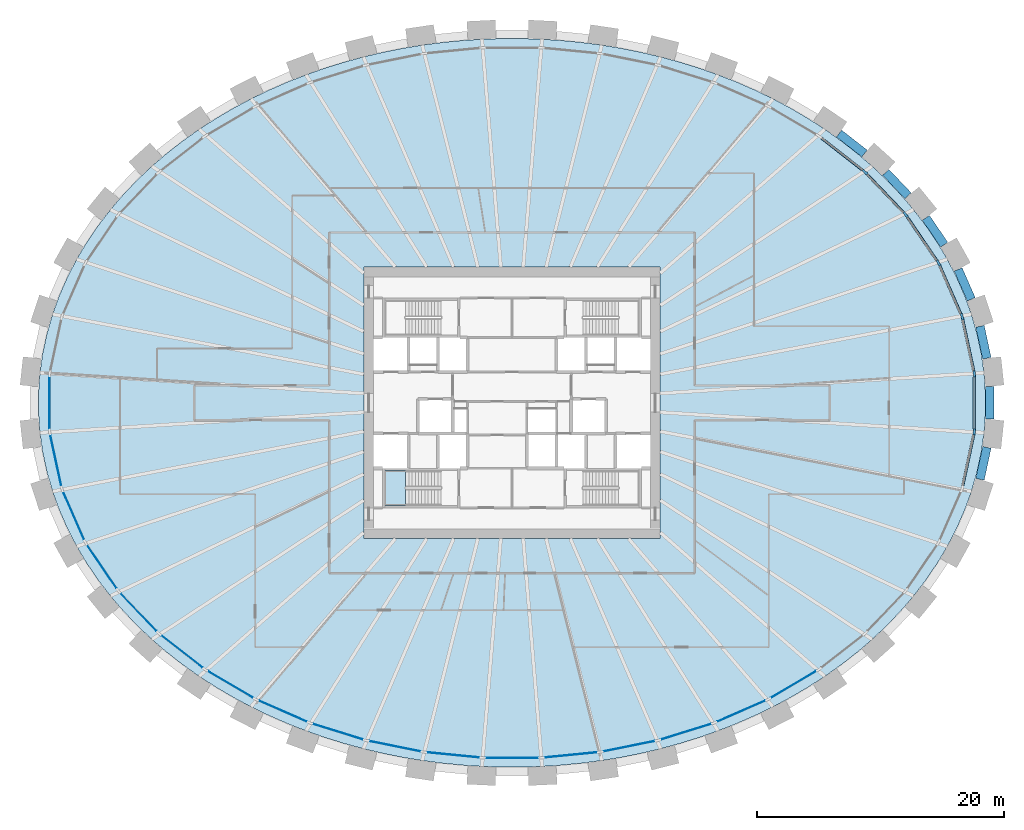
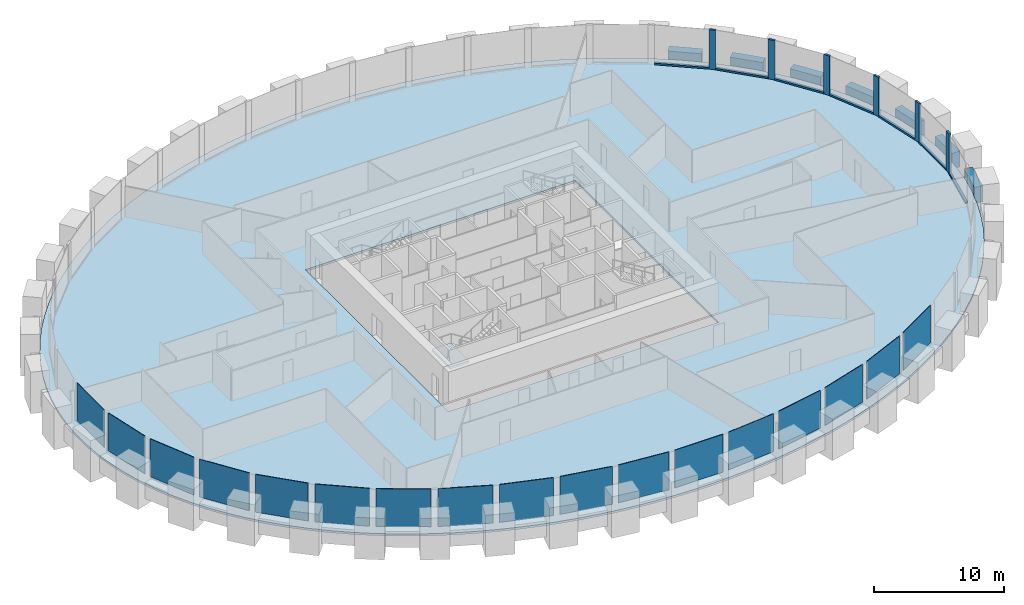
# One storey, part 4 of 11: 17 plates, 13 members, 7 beams, 2 slabs, 2 elements without a shape of their own.
"""IFC4 building model written with IfcOpenShell, lengths in metres."""

from ifc_helpers import new_model, si_unit, direction, frame, origin, origin_2d, place, context, subcontext, project, spatial, polyline, rectangle, outline, extrude, source, transform, mapped, material, layer, layer_set, material_profile, profile_set, type_object, element, aggregate, save


model = new_model("IFC4")

# Units and contexts
model_context = context("Model", 3, precision=1e-05, world=origin(), true_north=direction((0.0, 1.0)))
body_context = subcontext(model_context, "Body", "Model", "MODEL_VIEW")
ifc_project = project(units=[si_unit("LENGTHUNIT", "METRE"), si_unit("AREAUNIT", "SQUARE_METRE"), si_unit("VOLUMEUNIT", "CUBIC_METRE"), si_unit("PLANEANGLEUNIT", "RADIAN"), si_unit("MASSUNIT", "GRAM", prefix="KILO")], contexts=[model_context])

# Site, building, storey
site_placement = place(None, origin())
site = spatial("IfcSite", under=ifc_project, at=site_placement, CompositionType="ELEMENT")
building_placement = place(site_placement, origin())
building = spatial("IfcBuilding", under=site, at=building_placement, Name="Embergate Tower", CompositionType="ELEMENT")
storey_placement = place(building_placement, frame((0.0, 0.0, 135.89990234375)))
storey = spatial("IfcBuildingStorey", under=building, at=storey_placement, Name="L29", CompositionType="ELEMENT", Elevation=135.89990234375)

# Beams
ifc_material_1 = material(Name="Concrete C70", Category="concrete")
ifc_material_profile_1 = material_profile(ifc_material_1, rectangle(XDim=0.699951171875, YDim=1.5, at=origin_2d()), Name="RC 700x1500")
ifc_profile_set_1 = profile_set([ifc_material_profile_1], Name="Concrete C70")
beam_type = type_object("IfcBeamType", Name="Spandrel beam RC 700x1500 C70", PredefinedType="BEAM", material=ifc_profile_set_1)
shared_shape_1 = source(origin(), body_context, "Body", "SweptSolid", [
    extrude(rectangle(XDim=0.699951171875, YDim=1.5, at=origin_2d()), origin(), (0.0, 0.0, 1.0), 2.644287109375),
])
for number, where, z_axis, x_axis, name in (
    (1, (38.462890625, 3.610107421875, 0.0), (-0.210600871974, 0.977572131724, 0.0), (-0.977572131724, -0.210600871974, 0.0), "SPN-L29-00"),
    (2, (37.906005859375, -6.195068359375, 0.0), (0.210600871974, 0.977572131724, 0.0), (-0.977572131724, 0.210600871974, 0.0), "SPN-L29-42"),
):
    element("IfcBeam", number, at=place(storey_placement, frame(where, z_axis=z_axis, x_axis=x_axis)), inside=storey, type_object=beam_type, Name=name, PredefinedType="BEAM", context=body_context, shape_type="MappedRepresentation", body=[
        mapped(shared_shape_1, transform((0.0, 0.0, 0.0))),
    ])
shared_shape_2 = source(origin(), body_context, "Body", "SweptSolid", [
    extrude(rectangle(XDim=0.699951171875, YDim=1.5, at=origin_2d()), origin(), (0.0, 0.0, 1.0), 2.640625),
])
beam_1_placement = place(storey_placement, frame((37.198974609375, 8.383056640625, 0.0), z_axis=(-0.401827456717, 0.915715400672, 0.0), x_axis=(-0.915715400672, -0.401827456717, 0.0)))
element("IfcBeam", 3, at=beam_1_placement, inside=storey, type_object=beam_type, Name="SPN-L29-01", PredefinedType="BEAM", context=body_context, shape_type="MappedRepresentation", body=[
    mapped(shared_shape_2, transform((0.0, 0.0, 0.0))),
])
shared_shape_3 = source(origin(), body_context, "Body", "SweptSolid", [
    extrude(rectangle(XDim=0.699951171875, YDim=1.5, at=origin_2d()), origin(), (0.0, 0.0, 1.0), 2.63037109375),
])
beam_2_placement = place(storey_placement, frame((35.007080078125, 12.803955078125, 0.0), z_axis=(-0.562302404878, 0.826931681258, 0.0), x_axis=(-0.826931681258, -0.562302404878, 0.0)))
element("IfcBeam", 4, at=beam_2_placement, inside=storey, type_object=beam_type, Name="SPN-L29-02", PredefinedType="BEAM", context=body_context, shape_type="MappedRepresentation", body=[
    mapped(shared_shape_3, transform((0.0, 0.0, 0.0))),
])
shared_shape_4 = source(origin(), body_context, "Body", "SweptSolid", [
    extrude(rectangle(XDim=0.699951171875, YDim=1.5, at=origin_2d()), origin(), (0.0, 0.0, 1.0), 2.6240234375),
])
beam_3_placement = place(storey_placement, frame((32.08203125, 16.76806640625, 0.0), z_axis=(-0.690161462012, 0.723655412716, 0.0), x_axis=(-0.723655412716, -0.690161462012, 0.0)))
element("IfcBeam", 5, at=beam_3_placement, inside=storey, type_object=beam_type, Name="SPN-L29-03", PredefinedType="BEAM", context=body_context, shape_type="MappedRepresentation", body=[
    mapped(shared_shape_4, transform((0.0, 0.0, 0.0))),
])
shared_shape_5 = source(origin(), body_context, "Body", "SweptSolid", [
    extrude(rectangle(XDim=0.699951171875, YDim=1.5, at=origin_2d()), origin(), (0.0, 0.0, 1.0), 2.617431640625),
])
beam_4_placement = place(storey_placement, frame((28.552978515625, 20.196044921875, 0.0), z_axis=(-0.788185558189, 0.615437670169, 0.0), x_axis=(-0.615437670169, -0.788185558189, 0.0)))
element("IfcBeam", 6, at=beam_4_placement, inside=storey, type_object=beam_type, Name="SPN-L29-04", PredefinedType="BEAM", context=body_context, shape_type="MappedRepresentation", body=[
    mapped(shared_shape_5, transform((0.0, 0.0, 0.0))),
])
shared_shape_6 = source(origin(), body_context, "Body", "SweptSolid", [
    extrude(rectangle(XDim=0.699951171875, YDim=1.5, at=origin_2d()), origin(), (0.0, 0.0, 1.0), 2.64599609375),
])
beam_5_placement = place(storey_placement, frame((38.7060546875, -1.322998046875, 0.0), z_axis=(0.0, 1.0, 0.0), x_axis=(-1.0, 0.0, 0.0)))
element("IfcBeam", 7, at=beam_5_placement, inside=storey, type_object=beam_type, Name="SPN-L29-43", PredefinedType="BEAM", context=body_context, shape_type="MappedRepresentation", body=[
    mapped(shared_shape_6, transform((0.0, 0.0, 0.0))),
])

# Curtain wall, members
ifc_material_2 = material(Name="Aluminium and glass", Category="aluminium")
curtain_wall_type = type_object("IfcCurtainWallType", Name="Recessed office glazing", PredefinedType="NOTDEFINED", material=ifc_material_2)
curtain_wall_placement = place(storey_placement, origin())
curtain_wall = element("IfcCurtainWall", 8, at=curtain_wall_placement, inside=storey, type_object=curtain_wall_type, Name="Recessed office glazing ring", ObjectType="RECESSED OFFICE GLAZING", PredefinedType="USERDEFINED")
ifc_material_3 = material(Name="Aluminium, thermally broken", Category="aluminium")
ifc_material_profile_2 = material_profile(ifc_material_3, rectangle(XDim=0.179931640625, YDim=0.52001953125, at=origin_2d()), Name="AL 520x180")
ifc_profile_set_2 = profile_set([ifc_material_profile_2], Name="Aluminium, thermally broken")
member_type_1 = type_object("IfcMemberType", Name="Office mullion", PredefinedType="MULLION", material=ifc_profile_set_2)
shared_shape_7 = source(origin(), body_context, "Body", "SweptSolid", [
    extrude(rectangle(XDim=0.179931640625, YDim=0.52001953125, at=origin_2d()), origin(), (0.0, 0.0, 1.0), 3.7001953125),
])
member_1_placement = place(storey_placement, frame((37.4462890625, 2.36181640625, 0.0), z_axis=(0.0, 0.0, 1.0), x_axis=(-0.994384954736, -0.105823257345, 0.0)))
member_1 = element("IfcMember", 9, at=member_1_placement, type_object=member_type_1, Name="CW mullion 1", PredefinedType="MULLION", context=body_context, shape_type="MappedRepresentation", body=[
    mapped(shared_shape_7, transform((0.0, 0.0, 0.0))),
])
member_2_placement = place(storey_placement, frame((36.451904296875, 6.982177734375, 0.0), z_axis=(0.0, 0.0, 1.0), x_axis=(-0.951497797992, -0.307655554826, 0.0)))
member_2 = element("IfcMember", 10, at=member_2_placement, type_object=member_type_1, Name="CW mullion 2", PredefinedType="MULLION", context=body_context, shape_type="MappedRepresentation", body=[
    mapped(shared_shape_7, transform((0.0, 0.0, 0.0))),
])
member_3_placement = place(storey_placement, frame((34.55078125, 11.31689453125, 0.0), z_axis=(0.0, 0.0, 1.0), x_axis=(-0.875001895832, -0.484119491748, 0.0)))
member_3 = element("IfcMember", 11, at=member_3_placement, type_object=member_type_1, Name="CW mullion 3", PredefinedType="MULLION", context=body_context, shape_type="MappedRepresentation", body=[
    mapped(shared_shape_7, transform((0.0, 0.0, 0.0))),
])
member_4_placement = place(storey_placement, frame((31.88427734375, 15.238037109375, 0.0), z_axis=(0.0, 0.0, 1.0), x_axis=(-0.777871467551, -0.628423408198, 0.0)))
member_4 = element("IfcMember", 12, at=member_4_placement, type_object=member_type_1, Name="CW mullion 4", PredefinedType="MULLION", context=body_context, shape_type="MappedRepresentation", body=[
    mapped(shared_shape_7, transform((0.0, 0.0, 0.0))),
])
member_5_placement = place(storey_placement, frame((28.605712890625, 18.676025390625, 0.0), z_axis=(0.0, 0.0, 1.0), x_axis=(-0.671225240226, -0.741253449829, 0.0)))
member_5 = element("IfcMember", 13, at=member_5_placement, type_object=member_type_1, Name="CW mullion 5", PredefinedType="MULLION", context=body_context, shape_type="MappedRepresentation", body=[
    mapped(shared_shape_7, transform((0.0, 0.0, 0.0))),
])
member_6_placement = place(storey_placement, frame((37.4462890625, -2.36181640625, 0.0), z_axis=(0.0, 0.0, 1.0), x_axis=(-0.994384954736, 0.105823257345, 0.0)))
member_6 = element("IfcMember", 14, at=member_6_placement, type_object=member_type_1, Name="CW mullion 44", PredefinedType="MULLION", context=body_context, shape_type="MappedRepresentation", body=[
    mapped(shared_shape_7, transform((0.0, 0.0, 0.0))),
])
ifc_material_profile_3 = material_profile(ifc_material_3, rectangle(XDim=0.179931640625, YDim=0.14990234375, at=origin_2d()), Name="AL 150x180")
ifc_profile_set_3 = profile_set([ifc_material_profile_3], Name="Aluminium, thermally broken")
member_type_2 = type_object("IfcMemberType", Name="Office sill transom", PredefinedType="USERDEFINED", material=ifc_profile_set_3)
shared_shape_8 = source(origin(), body_context, "Body", "SweptSolid", [
    extrude(rectangle(XDim=0.179931640625, YDim=0.14990234375, at=origin_2d()), origin(), (0.0, 0.0, 1.0), 4.206298828125),
])
member_7_placement = place(storey_placement, frame((37.3916015625, 2.615966796875, 0.0751953125), z_axis=(-0.210405025701, 0.977614302862, 0.0), x_axis=(-0.977614302862, -0.210405025701, 0.0)))
member_7 = element("IfcMember", 15, at=member_7_placement, type_object=member_type_2, Name="CW transom 1.1", ObjectType="TRANSOM", PredefinedType="USERDEFINED", context=body_context, shape_type="MappedRepresentation", body=[
    mapped(shared_shape_8, transform((0.0, 0.0, 0.0))),
])
member_8_placement = place(storey_placement, frame((36.506591796875, -6.72802734375, 0.0751953125), z_axis=(0.210405025701, 0.977614302862, 0.0), x_axis=(-0.977614302862, 0.210405025701, 0.0)))
member_8 = element("IfcMember", 16, at=member_8_placement, type_object=member_type_2, Name="CW transom 43.1", ObjectType="TRANSOM", PredefinedType="USERDEFINED", context=body_context, shape_type="MappedRepresentation", body=[
    mapped(shared_shape_8, transform((0.0, 0.0, 0.0))),
])
shared_shape_9 = source(origin(), body_context, "Body", "SweptSolid", [
    extrude(rectangle(XDim=0.179931640625, YDim=0.14990234375, at=origin_2d()), origin(), (0.0, 0.0, 1.0), 4.213134765625),
])
member_9_placement = place(storey_placement, frame((36.34765625, 7.22021484375, 0.0751953125), z_axis=(-0.40163335885, 0.915800548733, 0.0), x_axis=(-0.915800548733, -0.40163335885, 0.0)))
member_9 = element("IfcMember", 17, at=member_9_placement, type_object=member_type_2, Name="CW transom 2.1", ObjectType="TRANSOM", PredefinedType="USERDEFINED", context=body_context, shape_type="MappedRepresentation", body=[
    mapped(shared_shape_9, transform((0.0, 0.0, 0.0))),
])
shared_shape_10 = source(origin(), body_context, "Body", "SweptSolid", [
    extrude(rectangle(XDim=0.179931640625, YDim=0.14990234375, at=origin_2d()), origin(), (0.0, 0.0, 1.0), 4.22216796875),
])
member_10_placement = place(storey_placement, frame((34.40478515625, 11.53173828125, 0.0751953125), z_axis=(-0.562349562031, 0.826899613063, 0.0), x_axis=(-0.826899613063, -0.562349562031, 0.0)))
member_10 = element("IfcMember", 18, at=member_10_placement, type_object=member_type_2, Name="CW transom 3.1", ObjectType="TRANSOM", PredefinedType="USERDEFINED", context=body_context, shape_type="MappedRepresentation", body=[
    mapped(shared_shape_10, transform((0.0, 0.0, 0.0))),
])
shared_shape_11 = source(origin(), body_context, "Body", "SweptSolid", [
    extrude(rectangle(XDim=0.179931640625, YDim=0.14990234375, at=origin_2d()), origin(), (0.0, 0.0, 1.0), 4.230712890625),
])
member_11_placement = place(storey_placement, frame((31.704833984375, 15.42626953125, 0.0751953125), z_axis=(-0.690173739415, 0.723643703367, 0.0), x_axis=(-0.723643703367, -0.690173739415, 0.0)))
member_11 = element("IfcMember", 19, at=member_11_placement, type_object=member_type_2, Name="CW transom 4.1", ObjectType="TRANSOM", PredefinedType="USERDEFINED", context=body_context, shape_type="MappedRepresentation", body=[
    mapped(shared_shape_11, transform((0.0, 0.0, 0.0))),
])
shared_shape_12 = source(origin(), body_context, "Body", "SweptSolid", [
    extrude(rectangle(XDim=0.179931640625, YDim=0.14990234375, at=origin_2d()), origin(), (0.0, 0.0, 1.0), 4.23828125),
])
member_12_placement = place(storey_placement, frame((28.400634765625, 18.8359375, 0.0751953125), z_axis=(-0.788315102029, 0.615271728518, 0.0), x_axis=(-0.615271728518, -0.788315102029, 0.0)))
member_12 = element("IfcMember", 20, at=member_12_placement, type_object=member_type_2, Name="CW transom 5.1", ObjectType="TRANSOM", PredefinedType="USERDEFINED", context=body_context, shape_type="MappedRepresentation", body=[
    mapped(shared_shape_12, transform((0.0, 0.0, 0.0))),
])
shared_shape_13 = source(origin(), body_context, "Body", "SweptSolid", [
    extrude(rectangle(XDim=0.179931640625, YDim=0.14990234375, at=origin_2d()), origin(), (0.0, 0.0, 1.0), 4.20361328125),
])
member_13_placement = place(storey_placement, frame((37.4462890625, -2.101806640625, 0.0751953125), z_axis=(0.0, 1.0, 0.0), x_axis=(-1.0, 0.0, 0.0)))
member_13 = element("IfcMember", 21, at=member_13_placement, type_object=member_type_2, Name="CW transom 44.1", ObjectType="TRANSOM", PredefinedType="USERDEFINED", context=body_context, shape_type="MappedRepresentation", body=[
    mapped(shared_shape_13, transform((0.0, 0.0, 0.0))),
])

# Slab
ifc_material_4 = material(Name="Concrete C40", Category="concrete")
ifc_layer_1 = layer(ifc_material_4, 0.199951171875)
ifc_layer_set_1 = layer_set([ifc_layer_1], Name="Concrete C40")
slab_type_1 = type_object("IfcSlabType", Name="Composite floor slab C40 200", PredefinedType="FLOOR", material=ifc_layer_set_1)
shared_shape_14 = source(origin(), body_context, "Body", "SweptSolid", [
    extrude(outline(polyline([(0.0, 0.0), (1.6220703125, 0.0), (3.244140625, 0.052001953125), (4.865966796875, 0.157958984375), (6.48095703125, 0.31689453125), (8.0849609375, 0.52783203125), (9.693115234375, 0.794921875), (11.283935546875, 1.11376953125), (12.85498046875, 1.48486328125), (14.43115234375, 1.914794921875), (15.97998046875, 2.39794921875), (17.5, 2.931884765625), (19.02294921875, 3.52978515625), (20.510009765625, 4.179931640625), (21.95703125, 4.8798828125), (23.403076171875, 5.65283203125), (24.802001953125, 6.474853515625), (26.150146484375, 7.345947265625), (27.489013671875, 8.2958984375), (28.76806640625, 9.2939453125), (29.984130859375, 10.337890625), (31.177001953125, 11.4677734375), (32.297119140625, 12.641845703125), (33.340087890625, 13.85693359375), (34.340087890625, 15.159912109375), (35.251953125, 16.5009765625), (36.072998046875, 17.8759765625), (36.825927734375, 19.331787109375), (37.47705078125, 20.81689453125), (38.025146484375, 22.326904296875), (38.47705078125, 23.894775390625), (38.818115234375, 25.47900390625), (39.047119140625, 27.075927734375), (39.1630859375, 28.69482421875), (39.1630859375, 30.31494140625), (39.047119140625, 31.933837890625), (38.818115234375, 33.53076171875), (38.47705078125, 35.114990234375), (38.025146484375, 36.682861328125), (37.47705078125, 38.19287109375), (36.825927734375, 39.677978515625), (36.072998046875, 41.1337890625), (35.251953125, 42.5087890625), (34.340087890625, 43.849853515625), (33.340087890625, 45.15283203125), (32.297119140625, 46.367919921875), (31.177001953125, 47.5419921875), (29.984130859375, 48.671875), (28.76806640625, 49.7158203125), (27.489013671875, 50.7138671875), (26.150146484375, 51.663818359375), (24.802001953125, 52.534912109375), (23.403076171875, 53.35693359375), (21.95703125, 54.1298828125), (20.510009765625, 54.829833984375), (19.02294921875, 55.47998046875), (17.5, 56.077880859375), (15.97998046875, 56.61181640625), (14.43115234375, 57.094970703125), (12.85498046875, 57.52490234375), (11.283935546875, 57.89599609375), (9.693115234375, 58.21484375), (8.0849609375, 58.48193359375), (6.48095703125, 58.69287109375), (4.865966796875, 58.851806640625), (3.244140625, 58.957763671875), (1.6220703125, 59.009765625), (0.0, 59.009765625), (-1.6220703125, 58.957763671875), (-3.243896484375, 58.851806640625), (-4.85888671875, 58.69287109375), (-6.462890625, 58.48193359375), (-8.071044921875, 58.21484375), (-9.661865234375, 57.89599609375), (-11.23291015625, 57.52490234375), (-12.80908203125, 57.094970703125), (-14.35791015625, 56.61181640625), (-15.8779296875, 56.077880859375), (-17.40087890625, 55.47998046875), (-18.887939453125, 54.829833984375), (-20.3349609375, 54.1298828125), (-21.781005859375, 53.35693359375), (-23.179931640625, 52.534912109375), (-24.528076171875, 51.663818359375), (-25.866943359375, 50.7138671875), (-27.14599609375, 49.7158203125), (-28.362060546875, 48.671875), (-29.554931640625, 47.5419921875), (-30.675048828125, 46.367919921875), (-31.718017578125, 45.15283203125), (-32.718017578125, 43.849853515625), (-33.6298828125, 42.5087890625), (-34.450927734375, 41.1337890625), (-35.203857421875, 39.677978515625), (-35.85498046875, 38.19287109375), (-36.403076171875, 36.682861328125), (-36.85498046875, 35.114990234375), (-37.196044921875, 33.53076171875), (-37.425048828125, 31.933837890625), (-37.541015625, 30.31494140625), (-37.541015625, 28.69482421875), (-37.425048828125, 27.075927734375), (-37.196044921875, 25.47900390625), (-36.85498046875, 23.894775390625), (-36.403076171875, 22.326904296875), (-35.85498046875, 20.81689453125), (-35.203857421875, 19.331787109375), (-34.450927734375, 17.8759765625), (-33.6298828125, 16.5009765625), (-32.718017578125, 15.159912109375), (-31.718017578125, 13.85693359375), (-30.675048828125, 12.641845703125), (-29.554931640625, 11.4677734375), (-28.362060546875, 10.337890625), (-27.14599609375, 9.2939453125), (-25.866943359375, 8.2958984375), (-24.528076171875, 7.345947265625), (-23.179931640625, 6.474853515625), (-21.781005859375, 5.65283203125), (-20.3349609375, 4.8798828125), (-18.887939453125, 4.179931640625), (-17.40087890625, 3.52978515625), (-15.8779296875, 2.931884765625), (-14.35791015625, 2.39794921875), (-12.80908203125, 1.914794921875), (-11.23291015625, 1.48486328125), (-9.661865234375, 1.11376953125), (-8.071044921875, 0.794921875), (-6.462890625, 0.52783203125), (-4.85888671875, 0.31689453125), (-3.243896484375, 0.157958984375), (-1.6220703125, 0.052001953125), (0.0, 0.0)]), holes=[polyline([(-11.18896484375, 18.5048828125), (-11.18896484375, 40.5048828125), (12.81103515625, 40.5048828125), (12.81103515625, 18.5048828125), (-11.18896484375, 18.5048828125)])]), origin(), (0.0, 0.0, 1.0), 0.199951171875),
])
slab_1_placement = place(storey_placement, frame((-0.81103515625, -29.5048828125, -0.199951171875)))
element("IfcSlab", 22, at=slab_1_placement, inside=storey, type_object=slab_type_1, Name="SLB-L29-00", PredefinedType="FLOOR", context=body_context, shape_type="MappedRepresentation", body=[
    mapped(shared_shape_14, transform((0.0, 0.0, 0.0))),
])

# Plate
ifc_material_5 = material(Name="Triple glazing, low-emissivity coating", Category="glass")
ifc_layer_2 = layer(ifc_material_5, 0.035888671875)
ifc_layer_set_2 = layer_set([ifc_layer_2], Name="Triple glazing, low-emissivity coating")
plate_type = type_object("IfcPlateType", Name="Office glazing unit", PredefinedType="CURTAIN_PANEL", material=ifc_layer_set_2)
shared_shape_15 = source(origin(), body_context, "Body", "SweptSolid", [
    extrude(rectangle(XDim=4.25439453125, YDim=0.035888671875, at=origin_2d()), origin(), (0.0, 0.0, 1.0), 3.550048828125),
])
plate_1_placement = place(storey_placement, frame((-9.481201171875, -27.817138671875, 0.14990234375), z_axis=(0.0, 0.0, 1.0), x_axis=(0.980476250608, -0.196637539636, 0.0)))
plate_1 = element("IfcPlate", 23, at=plate_1_placement, type_object=plate_type, Name="CW panel 31.1", PredefinedType="CURTAIN_PANEL", context=body_context, shape_type="MappedRepresentation", body=[
    mapped(shared_shape_15, transform((0.0, 0.0, 0.0))),
])

plate_2_placement = place(storey_placement, frame((9.481201171875, -27.817138671875, 0.14990234375), z_axis=(0.0, 0.0, 1.0), x_axis=(0.980476250608, 0.196637539636, 0.0)))
plate_2 = element("IfcPlate", 24, at=plate_2_placement, type_object=plate_type, Name="CW panel 35.1", PredefinedType="CURTAIN_PANEL", context=body_context, shape_type="MappedRepresentation", body=[
    mapped(shared_shape_15, transform((0.0, 0.0, 0.0))),
])

shared_shape_16 = source(origin(), body_context, "Body", "SweptSolid", [
    extrude(rectangle(XDim=4.206298828125, YDim=0.035888671875, at=origin_2d()), origin(), (0.0, 0.0, 1.0), 3.550048828125),
])
plate_3_placement = place(storey_placement, frame((-36.94921875, -4.672119140625, 0.14990234375), z_axis=(0.0, 0.0, 1.0), x_axis=(0.210398391177, -0.97761573074, 0.0)))
plate_3 = element("IfcPlate", 25, at=plate_3_placement, type_object=plate_type, Name="CW panel 23.1", PredefinedType="CURTAIN_PANEL", context=body_context, shape_type="MappedRepresentation", body=[
    mapped(shared_shape_16, transform((0.0, 0.0, 0.0))),
])

shared_shape_17 = source(origin(), body_context, "Body", "SweptSolid", [
    extrude(rectangle(XDim=4.213134765625, YDim=0.035888671875, at=origin_2d()), origin(), (0.0, 0.0, 1.0), 3.550048828125),
])
plate_4_placement = place(storey_placement, frame((-35.50146484375, -9.1494140625, 0.14990234375), z_axis=(0.0, 0.0, 1.0), x_axis=(0.401655297873, -0.915790926844, 0.0)))
plate_4 = element("IfcPlate", 26, at=plate_4_placement, type_object=plate_type, Name="CW panel 24.1", PredefinedType="CURTAIN_PANEL", context=body_context, shape_type="MappedRepresentation", body=[
    mapped(shared_shape_17, transform((0.0, 0.0, 0.0))),
])

shared_shape_18 = source(origin(), body_context, "Body", "SweptSolid", [
    extrude(rectangle(XDim=4.22216796875, YDim=0.035888671875, at=origin_2d()), origin(), (0.0, 0.0, 1.0), 3.550048828125),
])
plate_5_placement = place(storey_placement, frame((-33.217529296875, -13.27734375, 0.14990234375), z_axis=(0.0, 0.0, 1.0), x_axis=(0.562344628355, -0.826902968286, 0.0)))
plate_5 = element("IfcPlate", 27, at=plate_5_placement, type_object=plate_type, Name="CW panel 25.1", PredefinedType="CURTAIN_PANEL", context=body_context, shape_type="MappedRepresentation", body=[
    mapped(shared_shape_18, transform((0.0, 0.0, 0.0))),
])

shared_shape_19 = source(origin(), body_context, "Body", "SweptSolid", [
    extrude(rectangle(XDim=4.230712890625, YDim=0.035888671875, at=origin_2d()), origin(), (0.0, 0.0, 1.0), 3.550048828125),
])
plate_6_placement = place(storey_placement, frame((-30.244873046875, -16.95703125, 0.14990234375), z_axis=(0.0, 0.0, 1.0), x_axis=(0.690137573644, -0.723678194673, 0.0)))
plate_6 = element("IfcPlate", 28, at=plate_6_placement, type_object=plate_type, Name="CW panel 26.1", PredefinedType="CURTAIN_PANEL", context=body_context, shape_type="MappedRepresentation", body=[
    mapped(shared_shape_19, transform((0.0, 0.0, 0.0))),
])

shared_shape_20 = source(origin(), body_context, "Body", "SweptSolid", [
    extrude(rectangle(XDim=4.23828125, YDim=0.035888671875, at=origin_2d()), origin(), (0.0, 0.0, 1.0), 3.550048828125),
])
plate_7_placement = place(storey_placement, frame((-26.72998046875, -20.139892578125, 0.14990234375), z_axis=(0.0, 0.0, 1.0), x_axis=(0.788322266931, -0.615262548398, 0.0)))
plate_7 = element("IfcPlate", 29, at=plate_7_placement, type_object=plate_type, Name="CW panel 27.1", PredefinedType="CURTAIN_PANEL", context=body_context, shape_type="MappedRepresentation", body=[
    mapped(shared_shape_20, transform((0.0, 0.0, 0.0))),
])

shared_shape_21 = source(origin(), body_context, "Body", "SweptSolid", [
    extrude(rectangle(XDim=4.244384765625, YDim=0.035888671875, at=origin_2d()), origin(), (0.0, 0.0, 1.0), 3.550048828125),
])
plate_8_placement = place(storey_placement, frame((-22.801025390625, -22.810791015625, 0.14990234375), z_axis=(0.0, 0.0, 1.0), x_axis=(0.862054936934, -0.506814843614, 0.0)))
plate_8 = element("IfcPlate", 30, at=plate_8_placement, type_object=plate_type, Name="CW panel 28.1", PredefinedType="CURTAIN_PANEL", context=body_context, shape_type="MappedRepresentation", body=[
    mapped(shared_shape_21, transform((0.0, 0.0, 0.0))),
])

plate_9_placement = place(storey_placement, frame((22.801025390625, -22.810791015625, 0.14990234375), z_axis=(0.0, 0.0, 1.0), x_axis=(0.862054936934, 0.506814843614, 0.0)))
plate_9 = element("IfcPlate", 31, at=plate_9_placement, type_object=plate_type, Name="CW panel 38.1", PredefinedType="CURTAIN_PANEL", context=body_context, shape_type="MappedRepresentation", body=[
    mapped(shared_shape_21, transform((0.0, 0.0, 0.0))),
])

shared_shape_22 = source(origin(), body_context, "Body", "SweptSolid", [
    extrude(rectangle(XDim=4.248779296875, YDim=0.035888671875, at=origin_2d()), origin(), (0.0, 0.0, 1.0), 3.550048828125),
])
plate_10_placement = place(storey_placement, frame((-18.562744140625, -24.973388671875, 0.14990234375), z_axis=(0.0, 0.0, 1.0), x_axis=(0.916236910986, -0.400636896638, 0.0)))
plate_10 = element("IfcPlate", 32, at=plate_10_placement, type_object=plate_type, Name="CW panel 29.1", PredefinedType="CURTAIN_PANEL", context=body_context, shape_type="MappedRepresentation", body=[
    mapped(shared_shape_22, transform((0.0, 0.0, 0.0))),
])

plate_11_placement = place(storey_placement, frame((18.562744140625, -24.973388671875, 0.14990234375), z_axis=(0.0, 0.0, 1.0), x_axis=(0.916236910986, 0.400636896638, 0.0)))
plate_11 = element("IfcPlate", 33, at=plate_11_placement, type_object=plate_type, Name="CW panel 37.1", PredefinedType="CURTAIN_PANEL", context=body_context, shape_type="MappedRepresentation", body=[
    mapped(shared_shape_22, transform((0.0, 0.0, 0.0))),
])

shared_shape_23 = source(origin(), body_context, "Body", "SweptSolid", [
    extrude(rectangle(XDim=4.252197265625, YDim=0.035888671875, at=origin_2d()), origin(), (0.0, 0.0, 1.0), 3.550048828125),
])
plate_12_placement = place(storey_placement, frame((-14.10009765625, -26.63818359375, 0.14990234375), z_axis=(0.0, 0.0, 1.0), x_axis=(0.954772736126, -0.297336547283, 0.0)))
plate_12 = element("IfcPlate", 34, at=plate_12_placement, type_object=plate_type, Name="CW panel 30.1", PredefinedType="CURTAIN_PANEL", context=body_context, shape_type="MappedRepresentation", body=[
    mapped(shared_shape_23, transform((0.0, 0.0, 0.0))),
])

plate_13_placement = place(storey_placement, frame((14.10009765625, -26.63818359375, 0.14990234375), z_axis=(0.0, 0.0, 1.0), x_axis=(0.954772736126, 0.297336547283, 0.0)))
plate_13 = element("IfcPlate", 35, at=plate_13_placement, type_object=plate_type, Name="CW panel 36.1", PredefinedType="CURTAIN_PANEL", context=body_context, shape_type="MappedRepresentation", body=[
    mapped(shared_shape_23, transform((0.0, 0.0, 0.0))),
])

shared_shape_24 = source(origin(), body_context, "Body", "SweptSolid", [
    extrude(rectangle(XDim=4.255615234375, YDim=0.035888671875, at=origin_2d()), origin(), (0.0, 0.0, 1.0), 3.550048828125),
])
plate_14_placement = place(storey_placement, frame((-4.764404296875, -28.52001953125, 0.14990234375), z_axis=(0.0, 0.0, 1.0), x_axis=(0.995203355531, -0.09782781373, 0.0)))
plate_14 = element("IfcPlate", 36, at=plate_14_placement, type_object=plate_type, Name="CW panel 32.1", PredefinedType="CURTAIN_PANEL", context=body_context, shape_type="MappedRepresentation", body=[
    mapped(shared_shape_24, transform((0.0, 0.0, 0.0))),
])

plate_15_placement = place(storey_placement, frame((4.764404296875, -28.52001953125, 0.14990234375), z_axis=(0.0, 0.0, 1.0), x_axis=(0.995203355531, 0.09782781373, 0.0)))
plate_15 = element("IfcPlate", 37, at=plate_15_placement, type_object=plate_type, Name="CW panel 34.1", PredefinedType="CURTAIN_PANEL", context=body_context, shape_type="MappedRepresentation", body=[
    mapped(shared_shape_24, transform((0.0, 0.0, 0.0))),
])

shared_shape_25 = source(origin(), body_context, "Body", "SweptSolid", [
    extrude(rectangle(XDim=4.256103515625, YDim=0.035888671875, at=origin_2d()), origin(), (0.0, 0.0, 1.0), 3.550048828125),
])
plate_16_placement = place(storey_placement, frame((0.0, -28.753662109375, 0.14990234375), z_axis=(0.0, 0.0, 1.0), x_axis=(1.0, 0.0, 0.0)))
plate_16 = element("IfcPlate", 38, at=plate_16_placement, type_object=plate_type, Name="CW panel 33.1", PredefinedType="CURTAIN_PANEL", context=body_context, shape_type="MappedRepresentation", body=[
    mapped(shared_shape_25, transform((0.0, 0.0, 0.0))),
])

shared_shape_26 = source(origin(), body_context, "Body", "SweptSolid", [
    extrude(rectangle(XDim=4.20361328125, YDim=0.035888671875, at=origin_2d()), origin(), (0.0, 0.0, 1.0), 3.550048828125),
])
plate_17_placement = place(storey_placement, frame((-37.4462890625, 0.0, 0.14990234375), z_axis=(0.0, 0.0, 1.0), x_axis=(0.0, -1.0, 0.0)))
plate_17 = element("IfcPlate", 39, at=plate_17_placement, type_object=plate_type, Name="CW panel 22.1", PredefinedType="CURTAIN_PANEL", context=body_context, shape_type="MappedRepresentation", body=[
    mapped(shared_shape_26, transform((0.0, 0.0, 0.0))),
])

aggregate(curtain_wall, [member_1, member_2, member_3, member_4, member_5, member_6, member_7, member_9, member_10, member_11, member_12, plate_17, plate_3, plate_4, plate_5, plate_6, plate_7, plate_8, plate_10, plate_12, plate_1, plate_14, plate_16, plate_15, plate_2, plate_13, plate_11, plate_9, member_8, member_13])

# Stair, slab
ifc_material_6 = material(Name="Exit stair")
stair_type = type_object("IfcStairType", Name="Exit stair", PredefinedType="HALF_TURN_STAIR", material=ifc_material_6)
stair_placement = place(storey_placement, origin())
stair = element("IfcStair", 40, at=stair_placement, inside=storey, type_object=stair_type, Name="L29 Exit stair 3", PredefinedType="HALF_TURN_STAIR")
ifc_layer_3 = layer(ifc_material_4, 0.199951171875)
ifc_layer_set_3 = layer_set([ifc_layer_3], Name="Concrete C40")
slab_type_2 = type_object("IfcSlabType", Name="Stair landing reinforced concrete", PredefinedType="LANDING", material=ifc_layer_set_3)
shared_shape_27 = source(origin(), body_context, "Body", "SweptSolid", [
    extrude(outline(polyline([(0.0, 0.0), (1.68994140625, 0.0), (1.68994140625, 2.800048828125), (0.0, 2.800048828125), (0.0, 0.0)])), origin(), (0.0, 0.0, 1.0), 0.2001953125),
])
slab_2_placement = place(storey_placement, frame((-10.300048828125, -8.300048828125, 1.75)))
slab_2 = element("IfcSlab", 41, at=slab_2_placement, type_object=slab_type_2, Name="ST3 landing 1", PredefinedType="LANDING", context=body_context, shape_type="MappedRepresentation", body=[
    mapped(shared_shape_27, transform((0.0, 0.0, 0.0))),
])
aggregate(stair, [slab_2])

save(model, "model.ifc")
